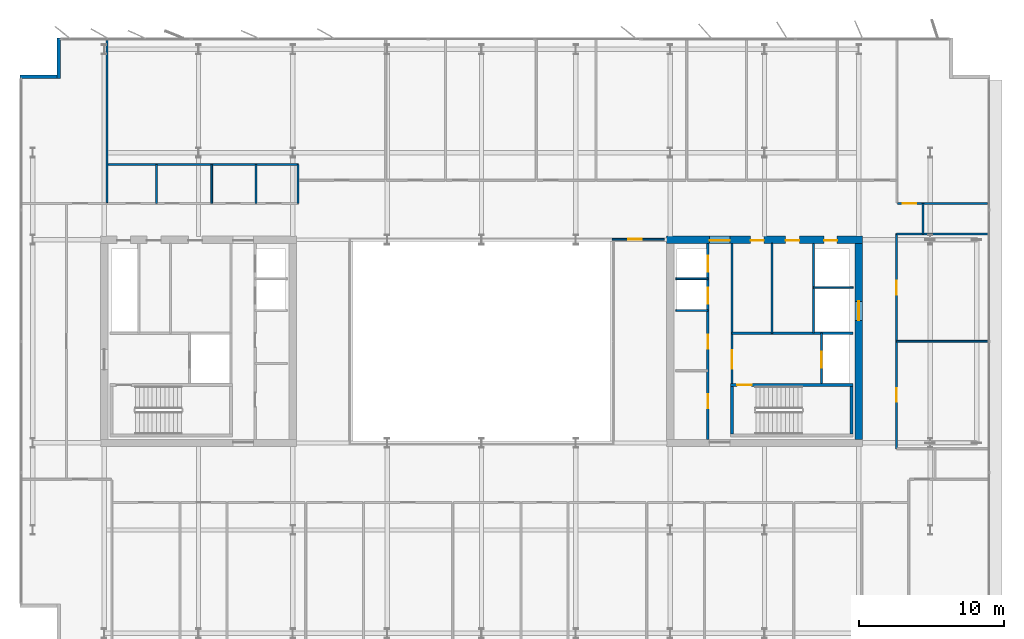
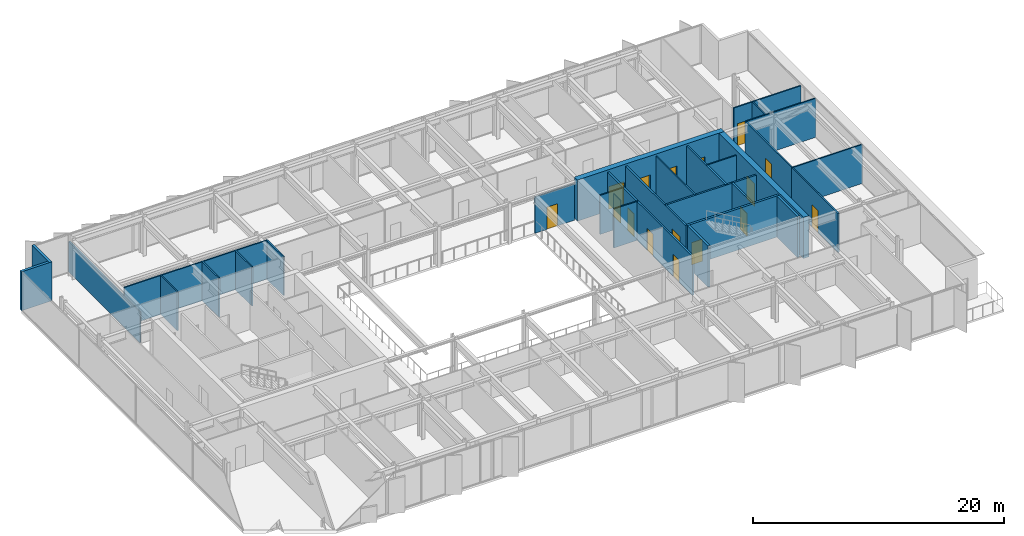
# One storey, part 15 of 20: 29 walls, 16 doors, 16 openings.
"""IFC4 building model written with IfcOpenShell, lengths in metres."""

from ifc_helpers import new_model, si_unit, direction, frame, frame_2d, origin, place, context, subcontext, project, spatial, rectangle, extrude, material, layer, layer_set, type_object, element, fill, save


model = new_model("IFC4")

# Units and contexts
model_context = context("Model", 3, precision=1e-05, world=origin(), true_north=direction((0.0, 1.0)))
body_context = subcontext(model_context, "Body", "Model", "MODEL_VIEW")
ifc_project = project(units=[si_unit("LENGTHUNIT", "METRE"), si_unit("AREAUNIT", "SQUARE_METRE"), si_unit("VOLUMEUNIT", "CUBIC_METRE"), si_unit("PLANEANGLEUNIT", "RADIAN"), si_unit("MASSUNIT", "GRAM", prefix="KILO")], contexts=[model_context])

# Site, building, storey
site_placement = place(None, origin())
site = spatial("IfcSite", under=ifc_project, at=site_placement, CompositionType="ELEMENT")
building_placement = place(site_placement, origin())
building = spatial("IfcBuilding", under=site, at=building_placement, Name="Putna Gate Headquarters", CompositionType="ELEMENT")
storey_placement = place(building_placement, frame((0.0, 0.0, 302.39990234375)))
storey = spatial("IfcBuildingStorey", under=building, at=storey_placement, Name="L76", CompositionType="ELEMENT", Elevation=302.39990234375)

# Wall, openings, doors
ifc_material_1 = material(Name="Concrete C50/60", Category="concrete")
ifc_layer_1 = layer(ifc_material_1, 0.5)
ifc_layer_set_1 = layer_set([ifc_layer_1], Name="Concrete C50/60")
wall_type_1 = type_object("IfcWallType", Name="WALL-CORE-500", PredefinedType="SHEAR", material=ifc_layer_set_1)
wall_1_placement = place(storey_placement, frame((51.75, 33.0, 0.0), z_axis=(0.0, 0.0, 1.0), x_axis=(1.0, 0.0, 0.0)))
wall_1 = element("IfcWall", 1, at=wall_1_placement, inside=storey, type_object=wall_type_1, Name="L76 EC Split Core Shear Wall N", PredefinedType="SHEAR", context=body_context, shape_type="SweptSolid", body=[
    extrude(rectangle(XDim=13.5, YDim=0.5, at=frame_2d((6.75, 0.0))), origin(), (0.0, 0.0, 1.0), 4.0),
])
opening_1_placement = place(wall_1_placement, frame((2.969970703125, 0.0, 0.0)))
opening_1 = element("IfcOpeningElement", 2, at=opening_1_placement, cuts=wall_1, Name="Opening FDD-140", PredefinedType="OPENING", context=body_context, shape_type="SweptSolid", body=[
    extrude(rectangle(XDim=1.39990234375, YDim=2.199951171875, at=frame_2d((0.699951171875, 1.10009765625))), frame((0.0, 0.260009765625, 0.0), z_axis=(0.0, -1.0, 0.0), x_axis=(1.0, 0.0, 0.0)), (0.0, 0.0, 1.0), 0.52001953125),
])
opening_2_placement = place(wall_1_placement, frame((10.85009765625, 0.0, 0.0)))
opening_2 = element("IfcOpeningElement", 3, at=opening_2_placement, cuts=wall_1, Name="Opening RD-90", PredefinedType="OPENING", context=body_context, shape_type="SweptSolid", body=[
    extrude(rectangle(XDim=0.89990234375, YDim=2.14990234375, at=frame_2d((0.449951171875, 1.074951171875))), frame((0.0, 0.260009765625, 0.0), z_axis=(0.0, -1.0, 0.0), x_axis=(1.0, 0.0, 0.0)), (0.0, 0.0, 1.0), 0.52001953125),
])
opening_3_placement = place(wall_1_placement, frame((5.800048828125, 0.0, 0.0)))
opening_3 = element("IfcOpeningElement", 4, at=opening_3_placement, cuts=wall_1, Name="Opening IDS-90", PredefinedType="OPENING", context=body_context, shape_type="SweptSolid", body=[
    extrude(rectangle(XDim=0.89990234375, YDim=2.14990234375, at=frame_2d((0.449951171875, 1.074951171875))), frame((0.0, 0.260009765625, 0.0), z_axis=(0.0, -1.0, 0.0), x_axis=(1.0, 0.0, 0.0)), (0.0, 0.0, 1.0), 0.52001953125),
])
opening_4_placement = place(wall_1_placement, frame((8.199951171875, 0.0, 0.0)))
opening_4 = element("IfcOpeningElement", 5, at=opening_4_placement, cuts=wall_1, Name="Opening IDS-95", PredefinedType="OPENING", context=body_context, shape_type="SweptSolid", body=[
    extrude(rectangle(XDim=0.949951171875, YDim=2.14990234375, at=frame_2d((0.47509765625, 1.074951171875))), frame((0.0, 0.260009765625, 0.0), z_axis=(0.0, -1.0, 0.0), x_axis=(1.0, 0.0, 0.0)), (0.0, 0.0, 1.0), 0.52001953125),
])
ifc_material_2 = material(Name="Double steel fire door", Category="steel")
door_type_1 = type_object("IfcDoorType", Name="DOOR-FIRE-DBL-1400", OperationType="DOUBLE_DOOR_SINGLE_SWING", PredefinedType="DOOR", material=ifc_material_2)
door_1_placement = place(opening_1_placement, origin())
door_1 = element("IfcDoor", 6, at=door_1_placement, inside=storey, type_object=door_type_1, Name="L76 East Lift Lobby North Door", OperationType="DOUBLE_DOOR_SINGLE_SWING", OverallHeight=2.199951171875, OverallWidth=1.39990234375, PredefinedType="DOOR", context=body_context, shape_type="SweptSolid", body=[
    extrude(rectangle(XDim=1.39990234375, YDim=2.199951171875, at=frame_2d((0.699951171875, 1.10009765625))), frame((0.0, -0.02490234375, 0.0), z_axis=(0.0, -1.0, 0.0), x_axis=(1.0, 0.0, 0.0)), (0.0, 0.0, 1.0), 0.050048828125),
])
fill(opening_1, door_1)
ifc_material_3 = material(Name="Fire-rated utility door")
door_type_2 = type_object("IfcDoorType", Name="DOOR-INT-900", OperationType="NOTDEFINED", PredefinedType="DOOR", material=ifc_material_3)
door_2_placement = place(opening_3_placement, origin())
door_2 = element("IfcDoor", 7, at=door_2_placement, inside=storey, type_object=door_type_2, Name="L76 Telecoms Plant Door", OperationType="SINGLE_SWING_LEFT", OverallHeight=2.14990234375, OverallWidth=0.89990234375, PredefinedType="DOOR", context=body_context, shape_type="SweptSolid", body=[
    extrude(rectangle(XDim=0.89990234375, YDim=2.14990234375, at=frame_2d((0.449951171875, 1.074951171875))), frame((0.0, -0.02490234375, 0.0), z_axis=(0.0, -1.0, 0.0), x_axis=(1.0, 0.0, 0.0)), (0.0, 0.0, 1.0), 0.050048828125),
])
fill(opening_3, door_2)
ifc_material_4 = material(Name="Fire-rated service timber door", Category="wood")
door_type_3 = type_object("IfcDoorType", Name="DOOR-INT-950", OperationType="NOTDEFINED", PredefinedType="DOOR", material=ifc_material_4)
door_3_placement = place(opening_4_placement, origin())
door_3 = element("IfcDoor", 8, at=door_3_placement, inside=storey, type_object=door_type_3, Name="L76 Supplies Store Door", OperationType="SINGLE_SWING_RIGHT", OverallHeight=2.14990234375, OverallWidth=0.949951171875, PredefinedType="DOOR", context=body_context, shape_type="SweptSolid", body=[
    extrude(rectangle(XDim=0.949951171875, YDim=2.14990234375, at=frame_2d((0.47509765625, 1.074951171875))), frame((0.0, -0.02490234375, 0.0), z_axis=(0.0, -1.0, 0.0), x_axis=(1.0, 0.0, 0.0)), (0.0, 0.0, 1.0), 0.050048828125),
])
fill(opening_4, door_3)
ifc_material_5 = material(Name="Steel riser access fire door", Category="steel")
door_type_4 = type_object("IfcDoorType", Name="DOOR-RISER-900", OperationType="NOTDEFINED", PredefinedType="DOOR", material=ifc_material_5)
door_4_placement = place(opening_2_placement, origin())
door_4 = element("IfcDoor", 9, at=door_4_placement, inside=storey, type_object=door_type_4, Name="L76 East Riser Access Door", OperationType="SINGLE_SWING_LEFT", OverallHeight=2.14990234375, OverallWidth=0.89990234375, PredefinedType="DOOR", context=body_context, shape_type="SweptSolid", body=[
    extrude(rectangle(XDim=0.89990234375, YDim=2.14990234375, at=frame_2d((0.449951171875, 1.074951171875))), frame((0.0, -0.02490234375, 0.0), z_axis=(0.0, -1.0, 0.0), x_axis=(1.0, 0.0, 0.0)), (0.0, 0.0, 1.0), 0.050048828125),
])
fill(opening_2, door_4)

# Wall, opening, door
wall_2_placement = place(storey_placement, frame((65.0, 19.25, 0.0), z_axis=(0.0, 0.0, 1.0), x_axis=(0.0, 1.0, 0.0)))
wall_2 = element("IfcWall", 10, at=wall_2_placement, inside=storey, type_object=wall_type_1, Name="L76 EC Split Core Shear Wall E", PredefinedType="SHEAR", context=body_context, shape_type="SweptSolid", body=[
    extrude(rectangle(XDim=13.5, YDim=0.5, at=frame_2d((6.75, 0.0))), origin(), (0.0, 0.0, 1.0), 4.0),
])
opening_5_placement = place(wall_2_placement, frame((8.199951171875, 0.0, 0.0)))
opening_5 = element("IfcOpeningElement", 11, at=opening_5_placement, cuts=wall_2, Name="Opening LD-2", PredefinedType="OPENING", context=body_context, shape_type="SweptSolid", body=[
    extrude(rectangle(XDim=1.300048828125, YDim=2.199951171875, at=frame_2d((0.64990234375, 1.10009765625))), frame((0.0, 0.260009765625, 0.0), z_axis=(0.0, -1.0, 0.0), x_axis=(1.0, 0.0, 0.0)), (0.0, 0.0, 1.0), 0.52001953125),
])
ifc_material_6 = material(Name="Heavy-duty goods lift sliding landing door")
door_type_5 = type_object("IfcDoorType", Name="DOOR-LIFT-1300", OperationType="DOUBLE_DOOR_SLIDING", PredefinedType="DOOR", material=ifc_material_6)
door_5_placement = place(opening_5_placement, origin())
door_5 = element("IfcDoor", 12, at=door_5_placement, inside=storey, type_object=door_type_5, Name="L76 Goods Lift Landing Door LD-15", OperationType="DOUBLE_DOOR_SLIDING", OverallHeight=2.199951171875, OverallWidth=1.300048828125, PredefinedType="DOOR", context=body_context, shape_type="SweptSolid", body=[
    extrude(rectangle(XDim=1.300048828125, YDim=2.199951171875, at=frame_2d((0.64990234375, 1.10009765625))), frame((0.0, 0.02490234375, 0.0), z_axis=(0.0, -1.0, 0.0), x_axis=(1.0, 0.0, 0.0)), (0.0, 0.0, 1.0), 0.050048828125),
])
fill(opening_5, door_5)

# Walls
ifc_material_7 = material(Name="Precast concrete C40/50", Category="concrete")
ifc_layer_2 = layer(ifc_material_7, 0.239990234375)
ifc_layer_set_2 = layer_set([ifc_layer_2], Name="Precast concrete C40/50")
wall_type_2 = type_object("IfcWallType", Name="WALL-EXT-TERR-240", PredefinedType="STANDARD", material=ifc_layer_set_2)
wall_3_placement = place(storey_placement, frame((9.8798828125, 44.10009765625, 0.0), z_axis=(0.0, 0.0, 1.0), x_axis=(0.0, 1.0, 0.0)))
element("IfcWall", 13, at=wall_3_placement, inside=storey, type_object=wall_type_2, Name="L76 Corner Notch Return Wall NW-V", PredefinedType="STANDARD", context=body_context, shape_type="SweptSolid", body=[
    extrude(rectangle(XDim=2.7998046875, YDim=0.239990234375, at=frame_2d((1.39990234375, 0.0))), origin(), (0.0, 0.0, 1.0), 3.7880859375),
])
wall_4_placement = place(storey_placement, frame((7.199951171875, 44.219970703125, 0.0), z_axis=(0.0, 0.0, 1.0), x_axis=(1.0, 0.0, 0.0)))
element("IfcWall", 14, at=wall_4_placement, inside=storey, type_object=wall_type_2, Name="L76 Corner Notch Return Wall NW-H", PredefinedType="STANDARD", context=body_context, shape_type="SweptSolid", body=[
    extrude(rectangle(XDim=2.800048828125, YDim=0.239990234375, at=frame_2d((1.39990234375, 0.0))), origin(), (0.0, 0.0, 1.0), 3.7880859375),
])

# Wall, opening, door
ifc_material_8 = material(Name="Acoustic gypsum board on metal stud")
ifc_layer_3 = layer(ifc_material_8, 0.1201171875)
ifc_layer_set_3 = layer_set([ifc_layer_3], Name="Acoustic gypsum board on metal stud")
wall_type_3 = type_object("IfcWallType", Name="WALL-PART-120", PredefinedType="PARTITIONING", material=ifc_layer_set_3)
wall_5_placement = place(storey_placement, frame((48.0, 33.0400390625, 0.0), z_axis=(0.0, 0.0, 1.0), x_axis=(1.0, 0.0, 0.0)))
wall_5 = element("IfcWall", 15, at=wall_5_placement, inside=storey, type_object=wall_type_3, Name="L76 Interior Wall PART-L76-ATR-E-N", PredefinedType="PARTITIONING", context=body_context, shape_type="SweptSolid", body=[
    extrude(rectangle(XDim=3.60009765625, YDim=0.1201171875, at=frame_2d((1.800048828125, 0.0))), origin(), (0.0, 0.0, 1.0), 3.528076171875),
])
opening_6_placement = place(wall_5_placement, frame((1.10009765625, 0.0, 0.0)))
opening_6 = element("IfcOpeningElement", 16, at=opening_6_placement, cuts=wall_5, Name="Opening ID-95", PredefinedType="OPENING", context=body_context, shape_type="SweptSolid", body=[
    extrude(rectangle(XDim=0.949951171875, YDim=2.14990234375, at=frame_2d((0.47509765625, 1.074951171875))), frame((0.0, 0.070068359375, 0.0), z_axis=(0.0, -1.0, 0.0), x_axis=(1.0, 0.0, 0.0)), (0.0, 0.0, 1.0), 0.14013671875),
])
ifc_material_9 = material(Name="Veneered acoustic timber door", Category="wood")
door_type_6 = type_object("IfcDoorType", Name="DOOR-OFF-950", OperationType="NOTDEFINED", PredefinedType="DOOR", material=ifc_material_9)
door_6_placement = place(opening_6_placement, origin())
door_6 = element("IfcDoor", 17, at=door_6_placement, inside=storey, type_object=door_type_6, Name="L76 East Sky Atrium Lounge Door", OperationType="SINGLE_SWING_LEFT", OverallHeight=2.14990234375, OverallWidth=0.949951171875, PredefinedType="DOOR", context=body_context, shape_type="SweptSolid", body=[
    extrude(rectangle(XDim=0.949951171875, YDim=2.14990234375, at=frame_2d((0.47509765625, 1.074951171875))), frame((0.0, 0.02490234375, 0.0), z_axis=(0.0, -1.0, 0.0), x_axis=(1.0, 0.0, 0.0)), (0.0, 0.0, 1.0), 0.050048828125),
])
fill(opening_6, door_6)

# Walls
wall_6_placement = place(storey_placement, frame((13.199951171875, 35.56005859375, 0.0), z_axis=(0.0, 0.0, 1.0), x_axis=(0.0, 1.0, 0.0)))
element("IfcWall", 18, at=wall_6_placement, inside=storey, type_object=wall_type_3, Name="L76 Interior Wall PART-L76-NB-DIV-01", PredefinedType="PARTITIONING", context=body_context, shape_type="SweptSolid", body=[
    extrude(rectangle(XDim=11.31982421875, YDim=0.1201171875, at=frame_2d((5.659912109375, 0.0))), origin(), (0.0, 0.0, 1.0), 2.988037109375),
])
wall_7_placement = place(storey_placement, frame((67.60009765625, 26.0, 0.0), z_axis=(0.0, 0.0, 1.0), x_axis=(1.0, 0.0, 0.0)))
element("IfcWall", 19, at=wall_7_placement, inside=storey, type_object=wall_type_3, Name="L76 Interior Wall PART-L76-EW-DIV-1", PredefinedType="PARTITIONING", context=body_context, shape_type="SweptSolid", body=[
    extrude(rectangle(XDim=6.431884765625, YDim=0.1201171875, at=frame_2d((3.2158203125, 0.0))), origin(), (0.0, 0.0, 1.0), 3.7880859375),
])
ifc_material_10 = material(Name="Fire-rated shaftwall gypsum board on metal stud")
ifc_layer_4 = layer(ifc_material_10, 0.1201171875)
ifc_layer_set_4 = layer_set([ifc_layer_4], Name="Fire-rated shaftwall gypsum board on metal stud")
wall_type_4 = type_object("IfcWallType", Name="WALL-PART-120-EI120", PredefinedType="PARTITIONING", material=ifc_layer_set_4)
wall_8_placement = place(storey_placement, frame((52.39990234375, 30.31005859375, 0.0), z_axis=(0.0, 0.0, 1.0), x_axis=(1.0, 0.0, 0.0)))
element("IfcWall", 20, at=wall_8_placement, inside=storey, type_object=wall_type_4, Name="L76 Interior Wall CWINT-L76-EC-LF11-DIV", PredefinedType="PARTITIONING", context=body_context, shape_type="SweptSolid", body=[
    extrude(rectangle(XDim=2.2001953125, YDim=0.1201171875, at=frame_2d((1.10009765625, 0.0))), origin(), (0.0, 0.0, 1.0), 3.7880859375),
])
wall_9_placement = place(storey_placement, frame((61.8701171875, 29.699951171875, 0.0), z_axis=(0.0, 0.0, 1.0), x_axis=(1.0, 0.0, 0.0)))
element("IfcWall", 21, at=wall_9_placement, inside=storey, type_object=wall_type_4, Name="L76 Interior Wall CWINT-L76-EC-LF15-N", PredefinedType="PARTITIONING", context=body_context, shape_type="SweptSolid", body=[
    extrude(rectangle(XDim=2.72998046875, YDim=0.1201171875, at=frame_2d((1.364990234375, 0.0))), origin(), (0.0, 0.0, 1.0), 3.7880859375),
])
ifc_material_11 = material(Name="Fire-rated gypsum board on metal stud")
ifc_layer_5 = layer(ifc_material_11, 0.1201171875)
ifc_layer_set_5 = layer_set([ifc_layer_5], Name="Fire-rated gypsum board on metal stud")
wall_type_5 = type_object("IfcWallType", Name="WALL-PART-120-RATED", PredefinedType="PARTITIONING", material=ifc_layer_set_5)
wall_10_placement = place(storey_placement, frame((52.39990234375, 28.1201171875, 0.0), z_axis=(0.0, 0.0, 1.0), x_axis=(1.0, 0.0, 0.0)))
element("IfcWall", 22, at=wall_10_placement, inside=storey, type_object=wall_type_5, Name="L76 Interior Wall CWINT-L76-EC-LF08-DIV", PredefinedType="PARTITIONING", context=body_context, shape_type="SweptSolid", body=[
    extrude(rectangle(XDim=2.2001953125, YDim=0.1201171875, at=frame_2d((1.10009765625, 0.0))), origin(), (0.0, 0.0, 1.0), 3.7880859375),
])
wall_11_placement = place(storey_placement, frame((59.02001953125, 26.56005859375, 0.0), z_axis=(0.0, 0.0, 1.0), x_axis=(0.0, 1.0, 0.0)))
element("IfcWall", 23, at=wall_11_placement, inside=storey, type_object=wall_type_5, Name="L76 Interior Wall CWINT-L76-EC-K1-DIV", PredefinedType="PARTITIONING", context=body_context, shape_type="SweptSolid", body=[
    extrude(rectangle(XDim=6.18994140625, YDim=0.1201171875, at=frame_2d((3.094970703125, 0.0))), origin(), (0.0, 0.0, 1.0), 3.7880859375),
])
wall_12_placement = place(storey_placement, frame((69.4208984375, 33.39990234375, 0.0), z_axis=(0.0, 0.0, 1.0), x_axis=(0.0, 1.0, 0.0)))
element("IfcWall", 24, at=wall_12_placement, inside=storey, type_object=wall_type_5, Name="L76 Interior Wall PART-L76-CORRN-CAPE", PredefinedType="PARTITIONING", context=body_context, shape_type="SweptSolid", body=[
    extrude(rectangle(XDim=2.10009765625, YDim=0.1201171875, at=frame_2d((1.050048828125, 0.0))), origin(), (0.0, 0.0, 1.0), 3.7880859375),
])
wall_13_placement = place(storey_placement, frame((13.199951171875, 38.179931640625, 0.0), z_axis=(0.0, 0.0, 1.0), x_axis=(1.0, 0.0, 0.0)))
element("IfcWall", 25, at=wall_13_placement, inside=storey, type_object=wall_type_5, Name="L76 Interior Wall PART-L76-SAN-BACK", PredefinedType="PARTITIONING", context=body_context, shape_type="SweptSolid", body=[
    extrude(rectangle(XDim=13.16015625, YDim=0.1201171875, at=frame_2d((6.580078125, 0.0))), origin(), (0.0, 0.0, 1.0), 3.7880859375),
])
for number, where, z_axis, x_axis, name in (
    (26, (16.60009765625, 35.5, 0.0), (0.0, 0.0, 1.0), (0.0, 1.0, 0.0), "L76 Interior Wall PART-L76-SAN-DIV-1"),
    (27, (20.419921875, 35.5, 0.0), (0.0, 0.0, 1.0), (0.0, 1.0, 0.0), "L76 Interior Wall PART-L76-SAN-DIV-2"),
    (28, (23.4599609375, 35.5, 0.0), (0.0, 0.0, 1.0), (0.0, 1.0, 0.0), "L76 Interior Wall PART-L76-SAN-DIV-3"),
    (29, (26.360107421875, 35.5, 0.0), (0.0, 0.0, 1.0), (0.0, 1.0, 0.0), "L76 Interior Wall PART-L76-SAN-DIV-4"),
):
    element("IfcWall", number, at=place(storey_placement, frame(where, z_axis=z_axis, x_axis=x_axis)), inside=storey, type_object=wall_type_5, Name=name, PredefinedType="PARTITIONING", context=body_context, shape_type="SweptSolid", body=[
        extrude(rectangle(XDim=2.679931640625, YDim=0.1201171875, at=frame_2d((1.33984375, 0.0))), origin(), (0.0, 0.0, 1.0), 3.7880859375),
    ])

# Wall, opening, door
wall_14_placement = place(storey_placement, frame((67.680908203125, 35.5, 0.0), z_axis=(0.0, 0.0, 1.0), x_axis=(1.0, 0.0, 0.0)))
wall_14 = element("IfcWall", 30, at=wall_14_placement, inside=storey, type_object=wall_type_5, Name="L76 Interior Wall PART-L76-NB-CW-10", PredefinedType="PARTITIONING", context=body_context, shape_type="SweptSolid", body=[
    extrude(rectangle(XDim=6.191162109375, YDim=0.1201171875, at=frame_2d((3.095703125, 0.0))), origin(), (0.0, 0.0, 1.0), 3.7880859375),
])
opening_7_placement = place(wall_14_placement, frame((0.330322265625, 0.0, 0.0)))
opening_7 = element("IfcOpeningElement", 31, at=opening_7_placement, cuts=wall_14, Name="Opening FD-95", PredefinedType="OPENING", context=body_context, shape_type="SweptSolid", body=[
    extrude(rectangle(XDim=0.949951171875, YDim=2.14990234375, at=frame_2d((0.47509765625, 1.074951171875))), frame((0.0, 0.070068359375, 0.0), z_axis=(0.0, -1.0, 0.0), x_axis=(1.0, 0.0, 0.0)), (0.0, 0.0, 1.0), 0.14013671875),
])
ifc_material_12 = material(Name="Acoustic timber fire door", Category="wood")
door_type_7 = type_object("IfcDoorType", Name="DOOR-FIRE-950", OperationType="NOTDEFINED", PredefinedType="DOOR", material=ifc_material_12)
door_7_placement = place(opening_7_placement, origin())
door_7 = element("IfcDoor", 32, at=door_7_placement, inside=storey, type_object=door_type_7, Name="L76 Cellular Office 5 Door", OperationType="SINGLE_SWING_LEFT", OverallHeight=2.14990234375, OverallWidth=0.949951171875, PredefinedType="DOOR", context=body_context, shape_type="SweptSolid", body=[
    extrude(rectangle(XDim=0.949951171875, YDim=2.14990234375, at=frame_2d((0.47509765625, 1.074951171875))), frame((0.0, 0.02490234375, 0.0), z_axis=(0.0, -1.0, 0.0), x_axis=(1.0, 0.0, 0.0)), (0.0, 0.0, 1.0), 0.050048828125),
])
fill(opening_7, door_7)

# Wall
wall_15_placement = place(storey_placement, frame((67.60009765625, 33.39990234375, 0.0), z_axis=(0.0, 0.0, 1.0), x_axis=(1.0, 0.0, 0.0)))
element("IfcWall", 33, at=wall_15_placement, inside=storey, type_object=wall_type_5, Name="L76 Interior Wall PART-L76-EW-N-BOUND", PredefinedType="PARTITIONING", context=body_context, shape_type="SweptSolid", body=[
    extrude(rectangle(XDim=6.431884765625, YDim=0.1201171875, at=frame_2d((3.2158203125, 0.0))), origin(), (0.0, 0.0, 1.0), 3.7880859375),
])

# Wall, opening, door
wall_16_placement = place(storey_placement, frame((67.60009765625, 18.60009765625, 0.0), z_axis=(0.0, 0.0, 1.0), x_axis=(0.0, 1.0, 0.0)))
wall_16 = element("IfcWall", 34, at=wall_16_placement, inside=storey, type_object=wall_type_5, Name="L76 Interior Wall PART-L76-EW-CW-1", PredefinedType="PARTITIONING", context=body_context, shape_type="SweptSolid", body=[
    extrude(rectangle(XDim=7.39990234375, YDim=0.1201171875, at=frame_2d((3.699951171875, 0.0))), origin(), (0.0, 0.0, 1.0), 3.7880859375),
])
opening_8_placement = place(wall_16_placement, frame((3.22509765625, 0.0, 0.0)))
opening_8 = element("IfcOpeningElement", 35, at=opening_8_placement, cuts=wall_16, Name="Opening FD-95", PredefinedType="OPENING", context=body_context, shape_type="SweptSolid", body=[
    extrude(rectangle(XDim=0.949951171875, YDim=2.14990234375, at=frame_2d((0.47509765625, 1.074951171875))), frame((0.0, 0.070068359375, 0.0), z_axis=(0.0, -1.0, 0.0), x_axis=(1.0, 0.0, 0.0)), (0.0, 0.0, 1.0), 0.14013671875),
])
door_8_placement = place(opening_8_placement, origin())
door_8 = element("IfcDoor", 36, at=door_8_placement, inside=storey, type_object=door_type_7, Name="L76 East Advisory Office 1 Door", OperationType="SINGLE_SWING_LEFT", OverallHeight=2.14990234375, OverallWidth=0.949951171875, PredefinedType="DOOR", context=body_context, shape_type="SweptSolid", body=[
    extrude(rectangle(XDim=0.949951171875, YDim=2.14990234375, at=frame_2d((0.47509765625, 1.074951171875))), frame((0.0, 0.02490234375, 0.0), z_axis=(0.0, -1.0, 0.0), x_axis=(1.0, 0.0, 0.0)), (0.0, 0.0, 1.0), 0.050048828125),
])
fill(opening_8, door_8)

wall_17_placement = place(storey_placement, frame((67.60009765625, 26.0, 0.0), z_axis=(0.0, 0.0, 1.0), x_axis=(0.0, 1.0, 0.0)))
wall_17 = element("IfcWall", 37, at=wall_17_placement, inside=storey, type_object=wall_type_5, Name="L76 Interior Wall PART-L76-EW-CW-2", PredefinedType="PARTITIONING", context=body_context, shape_type="SweptSolid", body=[
    extrude(rectangle(XDim=7.39990234375, YDim=0.1201171875, at=frame_2d((3.699951171875, 0.0))), origin(), (0.0, 0.0, 1.0), 3.7880859375),
])
opening_9_placement = place(wall_17_placement, frame((3.22509765625, 0.0, 0.0)))
opening_9 = element("IfcOpeningElement", 38, at=opening_9_placement, cuts=wall_17, Name="Opening FD-95", PredefinedType="OPENING", context=body_context, shape_type="SweptSolid", body=[
    extrude(rectangle(XDim=0.949951171875, YDim=2.14990234375, at=frame_2d((0.47509765625, 1.074951171875))), frame((0.0, 0.070068359375, 0.0), z_axis=(0.0, -1.0, 0.0), x_axis=(1.0, 0.0, 0.0)), (0.0, 0.0, 1.0), 0.14013671875),
])
door_9_placement = place(opening_9_placement, origin())
door_9 = element("IfcDoor", 39, at=door_9_placement, inside=storey, type_object=door_type_7, Name="L76 East Horizon Conference Room 2 Door", OperationType="SINGLE_SWING_RIGHT", OverallHeight=2.14990234375, OverallWidth=0.949951171875, PredefinedType="DOOR", context=body_context, shape_type="SweptSolid", body=[
    extrude(rectangle(XDim=0.949951171875, YDim=2.14990234375, at=frame_2d((0.47509765625, 1.074951171875))), frame((0.0, 0.02490234375, 0.0), z_axis=(0.0, -1.0, 0.0), x_axis=(1.0, 0.0, 0.0)), (0.0, 0.0, 1.0), 0.050048828125),
])
fill(opening_9, door_9)

# Wall, openings, doors
ifc_material_13 = material(Name="Concrete C40/50", Category="concrete")
ifc_layer_6 = layer(ifc_material_13, 0.159912109375)
ifc_layer_set_6 = layer_set([ifc_layer_6], Name="Concrete C40/50")
wall_type_6 = type_object("IfcWallType", Name="WALL-SHAFT-160", PredefinedType="STANDARD", material=ifc_layer_set_6)
wall_18_placement = place(storey_placement, frame((54.60009765625, 19.25, 0.0), z_axis=(0.0, 0.0, 1.0), x_axis=(0.0, 1.0, 0.0)))
wall_18 = element("IfcWall", 40, at=wall_18_placement, inside=storey, type_object=wall_type_6, Name="L76 Interior Wall CWINT-L76-EC-PL-WALL", PredefinedType="STANDARD", context=body_context, shape_type="SweptSolid", body=[
    extrude(rectangle(XDim=13.5, YDim=0.159912109375, at=frame_2d((6.75, 0.0))), origin(), (0.0, 0.0, 1.0), 3.7880859375),
])
opening_10_placement = place(wall_18_placement, frame((2.14990234375, 0.0, 0.0)))
opening_10 = element("IfcOpeningElement", 41, at=opening_10_placement, cuts=wall_18, Name="Opening IDS-95", PredefinedType="OPENING", context=body_context, shape_type="SweptSolid", body=[
    extrude(rectangle(XDim=0.949951171875, YDim=2.14990234375, at=frame_2d((0.47509765625, 1.074951171875))), frame((0.0, 0.08984375, 0.0), z_axis=(0.0, -1.0, 0.0), x_axis=(1.0, 0.0, 0.0)), (0.0, 0.0, 1.0), 0.179931640625),
])
opening_11_placement = place(wall_18_placement, frame((6.25, 0.0, 0.0)))
opening_11 = element("IfcOpeningElement", 42, at=opening_11_placement, cuts=wall_18, Name="Opening IDS-95", PredefinedType="OPENING", context=body_context, shape_type="SweptSolid", body=[
    extrude(rectangle(XDim=0.949951171875, YDim=2.14990234375, at=frame_2d((0.47509765625, 1.074951171875))), frame((0.0, 0.08984375, 0.0), z_axis=(0.0, -1.0, 0.0), x_axis=(1.0, 0.0, 0.0)), (0.0, 0.0, 1.0), 0.179931640625),
])
opening_12_placement = place(wall_18_placement, frame((9.35009765625, 0.0, 0.0)))
opening_12 = element("IfcOpeningElement", 43, at=opening_12_placement, cuts=wall_18, Name="Opening LD-1", PredefinedType="OPENING", context=body_context, shape_type="SweptSolid", body=[
    extrude(rectangle(XDim=1.10009765625, YDim=2.199951171875, at=frame_2d((0.550048828125, 1.10009765625))), frame((0.0, 0.08984375, 0.0), z_axis=(0.0, -1.0, 0.0), x_axis=(1.0, 0.0, 0.0)), (0.0, 0.0, 1.0), 0.179931640625),
])
opening_13_placement = place(wall_18_placement, frame((11.550048828125, 0.0, 0.0)))
opening_13 = element("IfcOpeningElement", 44, at=opening_13_placement, cuts=wall_18, Name="Opening LD-1", PredefinedType="OPENING", context=body_context, shape_type="SweptSolid", body=[
    extrude(rectangle(XDim=1.10009765625, YDim=2.199951171875, at=frame_2d((0.550048828125, 1.10009765625))), frame((0.0, 0.08984375, 0.0), z_axis=(0.0, -1.0, 0.0), x_axis=(1.0, 0.0, 0.0)), (0.0, 0.0, 1.0), 0.179931640625),
])
door_10_placement = place(opening_10_placement, origin())
door_10 = element("IfcDoor", 45, at=door_10_placement, inside=storey, type_object=door_type_3, Name="L76 Executive Archive Door", OperationType="SINGLE_SWING_RIGHT", OverallHeight=2.14990234375, OverallWidth=0.949951171875, PredefinedType="DOOR", context=body_context, shape_type="SweptSolid", body=[
    extrude(rectangle(XDim=0.949951171875, YDim=2.14990234375, at=frame_2d((0.47509765625, 1.074951171875))), frame((0.0, 0.02490234375, 0.0), z_axis=(0.0, -1.0, 0.0), x_axis=(1.0, 0.0, 0.0)), (0.0, 0.0, 1.0), 0.050048828125),
])
fill(opening_10, door_10)
door_11_placement = place(opening_11_placement, origin())
door_11 = element("IfcDoor", 46, at=door_11_placement, inside=storey, type_object=door_type_3, Name="L76 Comms Distribution Door", OperationType="SINGLE_SWING_LEFT", OverallHeight=2.14990234375, OverallWidth=0.949951171875, PredefinedType="DOOR", context=body_context, shape_type="SweptSolid", body=[
    extrude(rectangle(XDim=0.949951171875, YDim=2.14990234375, at=frame_2d((0.47509765625, 1.074951171875))), frame((0.0, 0.02490234375, 0.0), z_axis=(0.0, -1.0, 0.0), x_axis=(1.0, 0.0, 0.0)), (0.0, 0.0, 1.0), 0.050048828125),
])
fill(opening_11, door_11)
ifc_material_14 = material(Name="Brushed bronze stainless lift landing door")
door_type_8 = type_object("IfcDoorType", Name="DOOR-LIFT-1100", OperationType="DOUBLE_DOOR_SLIDING", PredefinedType="DOOR", material=ifc_material_14)
door_12_placement = place(opening_12_placement, origin())
door_12 = element("IfcDoor", 47, at=door_12_placement, inside=storey, type_object=door_type_8, Name="L76 Lift Landing Door LD-11", OperationType="DOUBLE_DOOR_SLIDING", OverallHeight=2.199951171875, OverallWidth=1.10009765625, PredefinedType="DOOR", context=body_context, shape_type="SweptSolid", body=[
    extrude(rectangle(XDim=1.10009765625, YDim=2.199951171875, at=frame_2d((0.550048828125, 1.10009765625))), frame((0.0, 0.02490234375, 0.0), z_axis=(0.0, -1.0, 0.0), x_axis=(1.0, 0.0, 0.0)), (0.0, 0.0, 1.0), 0.050048828125),
])
fill(opening_12, door_12)
door_13_placement = place(opening_13_placement, origin())
door_13 = element("IfcDoor", 48, at=door_13_placement, inside=storey, type_object=door_type_8, Name="L76 Lift Landing Door LD-12", OperationType="DOUBLE_DOOR_SLIDING", OverallHeight=2.199951171875, OverallWidth=1.10009765625, PredefinedType="DOOR", context=body_context, shape_type="SweptSolid", body=[
    extrude(rectangle(XDim=1.10009765625, YDim=2.199951171875, at=frame_2d((0.550048828125, 1.10009765625))), frame((0.0, 0.02490234375, 0.0), z_axis=(0.0, -1.0, 0.0), x_axis=(1.0, 0.0, 0.0)), (0.0, 0.0, 1.0), 0.050048828125),
])
fill(opening_13, door_13)

# Wall, opening, door
wall_19_placement = place(storey_placement, frame((56.260009765625, 23.090087890625, 0.0), z_axis=(0.0, 0.0, 1.0), x_axis=(0.0, 1.0, 0.0)))
wall_19 = element("IfcWall", 49, at=wall_19_placement, inside=storey, type_object=wall_type_6, Name="L76 Interior Wall CWINT-L76-EC-LOB-E", PredefinedType="STANDARD", context=body_context, shape_type="SweptSolid", body=[
    extrude(rectangle(XDim=9.659912109375, YDim=0.159912109375, at=frame_2d((4.830078125, 0.0))), origin(), (0.0, 0.0, 1.0), 3.7880859375),
])
opening_14_placement = place(wall_19_placement, frame((1.010009765625, 0.0, 0.0)))
opening_14 = element("IfcOpeningElement", 50, at=opening_14_placement, cuts=wall_19, Name="Opening FDD-130", PredefinedType="OPENING", context=body_context, shape_type="SweptSolid", body=[
    extrude(rectangle(XDim=1.300048828125, YDim=2.199951171875, at=frame_2d((0.64990234375, 1.10009765625))), frame((0.0, 0.08984375, 0.0), z_axis=(0.0, -1.0, 0.0), x_axis=(1.0, 0.0, 0.0)), (0.0, 0.0, 1.0), 0.179931640625),
])
ifc_material_15 = material(Name="Double steel lobby fire door", Category="steel")
door_type_9 = type_object("IfcDoorType", Name="DOOR-FIRE-DBL-1300", OperationType="DOUBLE_DOOR_SINGLE_SWING", PredefinedType="DOOR", material=ifc_material_15)
door_14_placement = place(opening_14_placement, origin())
door_14 = element("IfcDoor", 51, at=door_14_placement, inside=storey, type_object=door_type_9, Name="L76 East Firefighting Lobby Door", OperationType="DOUBLE_DOOR_SINGLE_SWING", OverallHeight=2.199951171875, OverallWidth=1.300048828125, PredefinedType="DOOR", context=body_context, shape_type="SweptSolid", body=[
    extrude(rectangle(XDim=1.300048828125, YDim=2.199951171875, at=frame_2d((0.64990234375, 1.10009765625))), frame((0.0, 0.02490234375, 0.0), z_axis=(0.0, -1.0, 0.0), x_axis=(1.0, 0.0, 0.0)), (0.0, 0.0, 1.0), 0.050048828125),
])
fill(opening_14, door_14)

wall_20_placement = place(storey_placement, frame((62.429931640625, 23.090087890625, 0.0), z_axis=(0.0, 0.0, 1.0), x_axis=(0.0, 1.0, 0.0)))
wall_20 = element("IfcWall", 52, at=wall_20_placement, inside=storey, type_object=wall_type_6, Name="L76 Interior Wall CWINT-L76-EC-LF14-W", PredefinedType="STANDARD", context=body_context, shape_type="SweptSolid", body=[
    extrude(rectangle(XDim=3.469970703125, YDim=0.159912109375, at=frame_2d((1.73486328125, 0.0))), origin(), (0.0, 0.0, 1.0), 3.7880859375),
])
opening_15_placement = place(wall_20_placement, frame((1.10009765625, 0.0, 0.0)))
opening_15 = element("IfcOpeningElement", 53, at=opening_15_placement, cuts=wall_20, Name="Opening LD-1", PredefinedType="OPENING", context=body_context, shape_type="SweptSolid", body=[
    extrude(rectangle(XDim=1.10009765625, YDim=2.199951171875, at=frame_2d((0.550048828125, 1.10009765625))), frame((0.0, 0.08984375, 0.0), z_axis=(0.0, -1.0, 0.0), x_axis=(1.0, 0.0, 0.0)), (0.0, 0.0, 1.0), 0.179931640625),
])
door_15_placement = place(opening_15_placement, origin())
door_15 = element("IfcDoor", 54, at=door_15_placement, inside=storey, type_object=door_type_8, Name="L76 Lift Landing Door LD-14", OperationType="DOUBLE_DOOR_SLIDING", OverallHeight=2.199951171875, OverallWidth=1.10009765625, PredefinedType="DOOR", context=body_context, shape_type="SweptSolid", body=[
    extrude(rectangle(XDim=1.10009765625, YDim=2.199951171875, at=frame_2d((0.550048828125, 1.10009765625))), frame((0.0, 0.02490234375, 0.0), z_axis=(0.0, -1.0, 0.0), x_axis=(1.0, 0.0, 0.0)), (0.0, 0.0, 1.0), 0.050048828125),
])
fill(opening_15, door_15)

# Walls
wall_21_placement = place(storey_placement, frame((56.260009765625, 26.56005859375, 0.0), z_axis=(0.0, 0.0, 1.0), x_axis=(1.0, 0.0, 0.0)))
element("IfcWall", 55, at=wall_21_placement, inside=storey, type_object=wall_type_6, Name="L76 Interior Wall CWINT-L76-EC-FFL-N", PredefinedType="STANDARD", context=body_context, shape_type="SweptSolid", body=[
    extrude(rectangle(XDim=8.340087890625, YDim=0.159912109375, at=frame_2d((4.169921875, 0.0))), origin(), (0.0, 0.0, 1.0), 3.7880859375),
])
wall_22_placement = place(storey_placement, frame((61.8701171875, 26.56005859375, 0.0), z_axis=(0.0, 0.0, 1.0), x_axis=(0.0, 1.0, 0.0)))
element("IfcWall", 56, at=wall_22_placement, inside=storey, type_object=wall_type_6, Name="L76 Interior Wall CWINT-L76-EC-LF15-W", PredefinedType="STANDARD", context=body_context, shape_type="SweptSolid", body=[
    extrude(rectangle(XDim=6.18994140625, YDim=0.159912109375, at=frame_2d((3.094970703125, 0.0))), origin(), (0.0, 0.0, 1.0), 3.7880859375),
])

# Wall, opening, door
ifc_layer_7 = layer(ifc_material_13, 0.199951171875)
ifc_layer_set_7 = layer_set([ifc_layer_7], Name="Concrete C40/50")
wall_type_7 = type_object("IfcWallType", Name="WALL-SHAFT-RC200", PredefinedType="SHEAR", material=ifc_layer_set_7)
wall_23_placement = place(storey_placement, frame((56.159912109375, 22.989990234375, 0.0), z_axis=(0.0, 0.0, 1.0), x_axis=(1.0, 0.0, 0.0)))
wall_23 = element("IfcWall", 57, at=wall_23_placement, inside=storey, type_object=wall_type_7, Name="L76 Stair ST2 Structural Shaft Wall N", PredefinedType="SHEAR", context=body_context, shape_type="SweptSolid", body=[
    extrude(rectangle(XDim=8.43017578125, YDim=0.199951171875, at=frame_2d((4.215087890625, 0.0))), origin(), (0.0, 0.0, 1.0), 4.0),
])
opening_16_placement = place(wall_23_placement, frame((0.449951171875, 0.0, 0.0)))
opening_16 = element("IfcOpeningElement", 58, at=opening_16_placement, cuts=wall_23, Name="Opening FD-100", PredefinedType="OPENING", context=body_context, shape_type="SweptSolid", body=[
    extrude(rectangle(XDim=1.0, YDim=2.14990234375, at=frame_2d((0.5, 1.074951171875))), frame((0.0, 0.10986328125, 0.0), z_axis=(0.0, -1.0, 0.0), x_axis=(1.0, 0.0, 0.0)), (0.0, 0.0, 1.0), 0.219970703125),
])
ifc_material_16 = material(Name="Powder-coated steel fire door", Category="steel")
door_type_10 = type_object("IfcDoorType", Name="DOOR-FIRE-1000", OperationType="NOTDEFINED", PredefinedType="DOOR", material=ifc_material_16)
door_16_placement = place(opening_16_placement, origin())
door_16 = element("IfcDoor", 59, at=door_16_placement, inside=storey, type_object=door_type_10, Name="L76 Stair ST2 Fire Door", OperationType="SINGLE_SWING_RIGHT", OverallHeight=2.14990234375, OverallWidth=1.0, PredefinedType="DOOR", context=body_context, shape_type="SweptSolid", body=[
    extrude(rectangle(XDim=1.0, YDim=2.14990234375, at=frame_2d((0.5, 1.074951171875))), frame((0.0, 0.02490234375, 0.0), z_axis=(0.0, -1.0, 0.0), x_axis=(1.0, 0.0, 0.0)), (0.0, 0.0, 1.0), 0.050048828125),
])
fill(opening_16, door_16)

# Walls
for number, where, z_axis, x_axis, name in (
    (60, (56.260009765625, 19.610107421875, 0.0), (0.0, 0.0, 1.0), (0.0, 1.0, 0.0), "L76 Stair ST2 Structural Shaft Wall W"),
    (61, (64.489990234375, 19.610107421875, 0.0), (0.0, 0.0, 1.0), (0.0, 1.0, 0.0), "L76 Stair ST2 Structural Shaft Wall E"),
):
    element("IfcWall", number, at=place(storey_placement, frame(where, z_axis=z_axis, x_axis=x_axis)), inside=storey, type_object=wall_type_7, Name=name, PredefinedType="SHEAR", context=body_context, shape_type="SweptSolid", body=[
        extrude(rectangle(XDim=3.27978515625, YDim=0.199951171875, at=frame_2d((1.639892578125, 0.0))), origin(), (0.0, 0.0, 1.0), 4.0),
    ])

save(model, "model.ifc")
